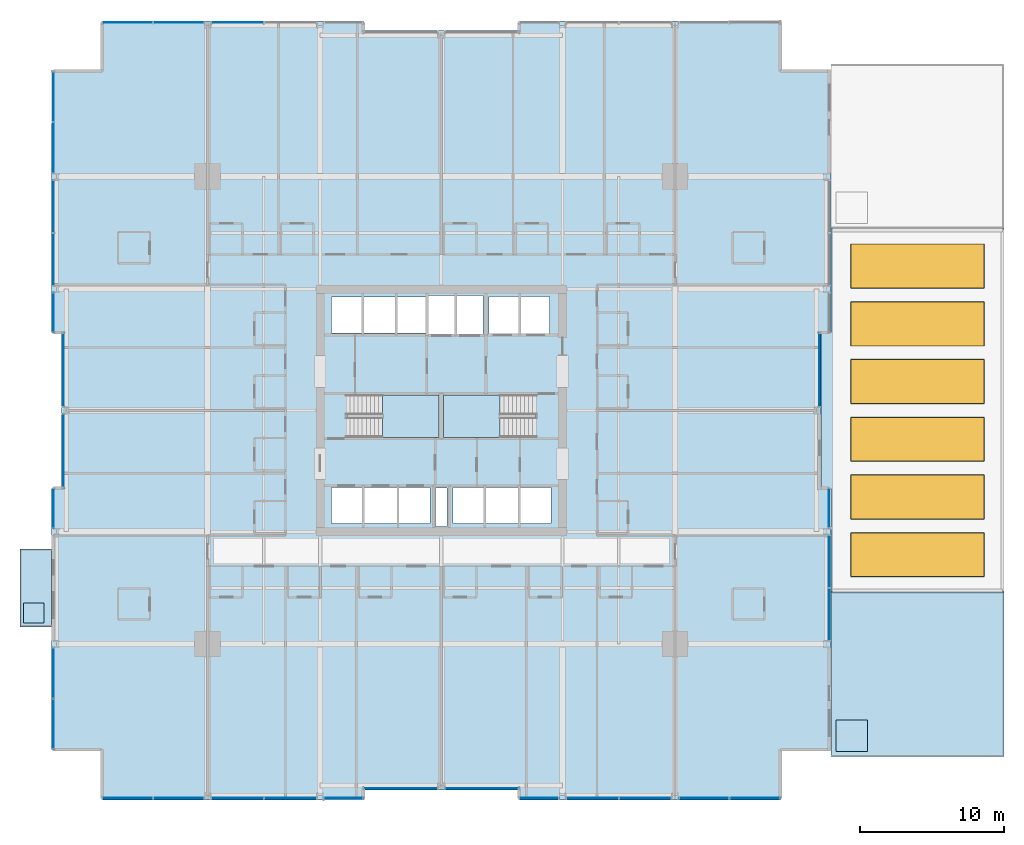
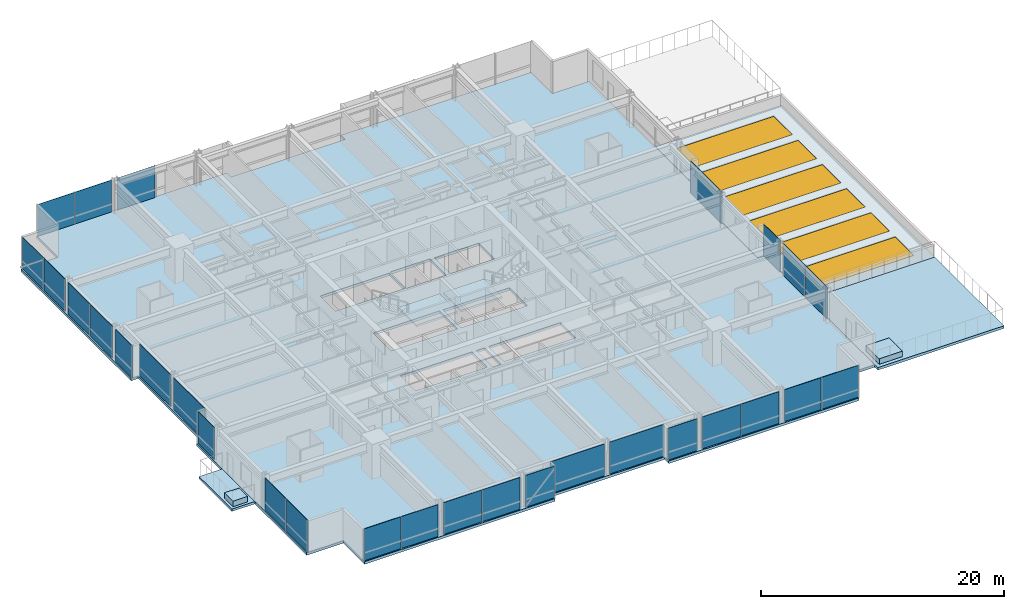
# One storey, part 29 of 42: 29 plates, 8 slabs, 6 windows, 6 openings, 22 elements without a shape of their own.
"""IFC4 building model written with IfcOpenShell, lengths in metres."""

from ifc_helpers import new_model, si_unit, direction, frame, origin, origin_2d, place, context, subcontext, project, spatial, polyline, rectangle, outline, extrude, material, layer, layer_set, type_object, element, fill, aggregate, save


model = new_model("IFC4")

# Units and contexts
model_context = context("Model", 3, precision=1e-05, world=origin(), true_north=direction((0.0, 1.0)))
body_context = subcontext(model_context, "Body", "Model", "MODEL_VIEW")
ifc_project = project(units=[si_unit("LENGTHUNIT", "METRE"), si_unit("AREAUNIT", "SQUARE_METRE"), si_unit("VOLUMEUNIT", "CUBIC_METRE"), si_unit("PLANEANGLEUNIT", "RADIAN"), si_unit("MASSUNIT", "GRAM", prefix="KILO")], contexts=[model_context])

# Site, building, storey
site_placement = place(None, origin())
site = spatial("IfcSite", under=ifc_project, at=site_placement, CompositionType="ELEMENT")
building_placement = place(site_placement, origin())
building = spatial("IfcBuilding", under=site, at=building_placement, Name="Drelvath Grand Hotel", CompositionType="ELEMENT")
storey_placement = place(building_placement, frame((0.0, 0.0, 33.199951171875)))
storey = spatial("IfcBuildingStorey", under=building, at=storey_placement, Name="L06", CompositionType="ELEMENT", Elevation=33.199951171875)

# Slabs
ifc_material_1 = material(Name="Concrete f'c 40 MPa", Category="concrete")
ifc_layer_1 = layer(ifc_material_1, 0.239990234375)
ifc_layer_set_1 = layer_set([ifc_layer_1], Name="Concrete f'c 40 MPa")
slab_type_1 = type_object("IfcSlabType", Name="Cantilevered Tree Balcony Slab 240", PredefinedType="FLOOR", material=ifc_layer_set_1)
slab_1_placement = place(storey_placement, frame((0.0, 0.0, -0.239990234375)))
element("IfcSlab", 1, at=slab_1_placement, inside=storey, type_object=slab_type_1, Name="L06 Cantilevered Tree Balcony Slab 1", PredefinedType="FLOOR", context=body_context, shape_type="SweptSolid", body=[
    extrude(outline(polyline([(-29.199951171875, 12.0), (-27.0, 12.0), (-27.0, 17.39990234375), (-29.199951171875, 17.39990234375), (-29.199951171875, 12.0)])), origin(), (0.0, 0.0, 1.0), 0.239990234375),
])
ifc_layer_2 = layer(ifc_material_1, 0.260009765625)
ifc_layer_set_2 = layer_set([ifc_layer_2], Name="Concrete f'c 40 MPa")
slab_type_2 = type_object("IfcSlabType", Name="Composite RC Floor Slab 260", PredefinedType="FLOOR", material=ifc_layer_set_2)
slab_2_placement = place(storey_placement, frame((0.0, 0.0, -0.260009765625)))
element("IfcSlab", 2, at=slab_2_placement, inside=storey, type_object=slab_type_2, Name="L06 Structural Floor Slab", PredefinedType="FLOOR", context=body_context, shape_type="SweptSolid", body=[
    extrude(outline(polyline([(-23.5, 0.0), (-5.39990234375, 0.0), (-5.39990234375, 0.679931640625), (5.39990234375, 0.679931640625), (5.39990234375, 0.0), (23.5, 0.0), (23.5, 3.5), (27.0, 3.5), (27.0, 21.60009765625), (26.320068359375, 21.60009765625), (26.320068359375, 32.39990234375), (27.0, 32.39990234375), (27.0, 50.5), (23.5, 50.5), (23.5, 54.0), (5.39990234375, 54.0), (5.39990234375, 53.320068359375), (-5.39990234375, 53.320068359375), (-5.39990234375, 54.0), (-23.5, 54.0), (-23.5, 50.5), (-27.0, 50.5), (-27.0, 32.39990234375), (-26.320068359375, 32.39990234375), (-26.320068359375, 21.60009765625), (-27.0, 21.60009765625), (-27.0, 3.5), (-23.5, 3.5), (-23.5, 0.0)]), holes=[polyline([(-6.47998046875, 25.1201171875), (-6.47998046875, 28.080078125), (-0.14990234375, 28.080078125), (-0.14990234375, 25.1201171875), (-6.47998046875, 25.1201171875)]), polyline([(0.14990234375, 25.1201171875), (0.14990234375, 28.080078125), (6.47998046875, 28.080078125), (6.47998046875, 25.1201171875), (0.14990234375, 25.1201171875)]), polyline([(-7.60009765625, 19.14990234375), (-7.60009765625, 21.64990234375), (-0.800048828125, 21.64990234375), (-0.800048828125, 19.14990234375), (-7.60009765625, 19.14990234375)]), polyline([(-0.39990234375, 18.9599609375), (-0.39990234375, 21.639892578125), (0.39990234375, 21.639892578125), (0.39990234375, 18.9599609375), (-0.39990234375, 18.9599609375)]), polyline([(0.800048828125, 19.14990234375), (0.800048828125, 21.64990234375), (7.60009765625, 21.64990234375), (7.60009765625, 19.14990234375), (0.800048828125, 19.14990234375)]), polyline([(-7.60009765625, 32.35009765625), (-7.60009765625, 34.85009765625), (-1.02001953125, 34.85009765625), (-1.02001953125, 32.35009765625), (-7.60009765625, 32.35009765625)]), polyline([(-0.89990234375, 32.25), (-0.89990234375, 34.949951171875), (2.89990234375, 34.949951171875), (2.89990234375, 32.25), (-0.89990234375, 32.25)]), polyline([(3.300048828125, 32.300048828125), (3.300048828125, 34.89990234375), (7.5, 34.89990234375), (7.5, 32.300048828125), (3.300048828125, 32.300048828125)])]), origin(), (0.0, 0.0, 1.0), 0.260009765625),
])

# Stair, slab
ifc_material_2 = material(Name="Concrete C40/50", Category="concrete")
stair_type = type_object("IfcStairType", Name="Dogleg Exit Stair W1400-R175.0", PredefinedType="HALF_TURN_STAIR", material=ifc_material_2)
stair_1_placement = place(storey_placement, origin())
stair_1 = element("IfcStair", 3, at=stair_1_placement, inside=storey, type_object=stair_type, Name="L06 Core Exit Stair ST-1", PredefinedType="HALF_TURN_STAIR")
ifc_layer_3 = layer(ifc_material_2, 0.199951171875)
ifc_layer_set_3 = layer_set([ifc_layer_3], Name="Concrete C40/50")
slab_type_3 = type_object("IfcSlabType", Name="Concrete Stair Landing Slab 200", PredefinedType="LANDING", material=ifc_layer_set_3)
slab_3_placement = place(storey_placement, frame((0.0, 0.0, 1.550048828125)))
slab_3 = element("IfcSlab", 4, at=slab_3_placement, type_object=slab_type_3, Name="ST-1 landing 1", PredefinedType="LANDING", context=body_context, shape_type="SweptSolid", body=[
    extrude(outline(polyline([(-4.080078125, 25.1201171875), (-0.14990234375, 25.1201171875), (-0.14990234375, 28.080078125), (-4.080078125, 28.080078125), (-4.080078125, 25.1201171875)])), origin(), (0.0, 0.0, 1.0), 0.199951171875),
])
aggregate(stair_1, [slab_3])

stair_2_placement = place(storey_placement, origin())
stair_2 = element("IfcStair", 5, at=stair_2_placement, inside=storey, type_object=stair_type, Name="L06 Core Exit Stair ST-2", PredefinedType="HALF_TURN_STAIR")
slab_4_placement = place(storey_placement, frame((0.0, 0.0, 1.550048828125)))
slab_4 = element("IfcSlab", 6, at=slab_4_placement, type_object=slab_type_3, Name="ST-2 landing 1", PredefinedType="LANDING", context=body_context, shape_type="SweptSolid", body=[
    extrude(outline(polyline([(4.080078125, 28.080078125), (0.14990234375, 28.080078125), (0.14990234375, 25.1201171875), (4.080078125, 25.1201171875), (4.080078125, 28.080078125)])), origin(), (0.0, 0.0, 1.0), 0.199951171875),
])
aggregate(stair_2, [slab_4])

# Curtain wall, plates
ifc_material_3 = material(Name="Warm Bronze Anodised Aluminium Frame", Category="aluminium")
ifc_layer_4 = layer(ifc_material_3, 0.199951171875)
ifc_layer_set_4 = layer_set([ifc_layer_4], Name="Warm Bronze Anodised Aluminium Frame")
curtain_wall_type = type_object("IfcCurtainWallType", Name="Stick Curtain Wall CW-02 Warm Bronze Low-Rise", PredefinedType="NOTDEFINED", material=ifc_layer_set_4)
curtain_wall_1_placement = place(storey_placement, origin())
curtain_wall_1 = element("IfcCurtainWall", 7, at=curtain_wall_1_placement, inside=storey, type_object=curtain_wall_type, Name="L06 CW-02 Curtain Wall CW02-L06-WS1", PredefinedType="NOTDEFINED")
ifc_material_4 = material(Name="Low-E Triple Silver Vision Glass Bronze Tint", Category="glass")
ifc_layer_5 = layer(ifc_material_4, 0.035888671875)
ifc_layer_set_5 = layer_set([ifc_layer_5], Name="Low-E Triple Silver Vision Glass Bronze Tint")
plate_type = type_object("IfcPlateType", Name="Curtain Wall Vision Panel CW-02 36mm", PredefinedType="CURTAIN_PANEL", material=ifc_layer_set_5)
plate_1_placement = place(storey_placement, frame((-26.8798828125, 5.264892578125, 0.02001953125), z_axis=(0.0, 0.0, 1.0), x_axis=(0.0, 1.0, 0.0)))
plate_1 = element("IfcPlate", 8, at=plate_1_placement, type_object=plate_type, Name="CW02-L06-WS1 Glazed Panel 1", PredefinedType="CURTAIN_PANEL", context=body_context, shape_type="SweptSolid", body=[
    extrude(rectangle(XDim=3.489501953125, YDim=0.035888671875, at=origin_2d()), origin(), (0.0, 0.0, 1.0), 3.199951171875),
])
plate_2_placement = place(storey_placement, frame((-26.8798828125, 8.794189453125, 0.02001953125), z_axis=(0.0, 0.0, 1.0), x_axis=(0.0, 1.0, 0.0)))
plate_2 = element("IfcPlate", 9, at=plate_2_placement, type_object=plate_type, Name="CW02-L06-WS1 Glazed Panel 2", PredefinedType="CURTAIN_PANEL", context=body_context, shape_type="SweptSolid", body=[
    extrude(rectangle(XDim=3.489501953125, YDim=0.035888671875, at=origin_2d()), origin(), (0.0, 0.0, 1.0), 3.199951171875),
])
aggregate(curtain_wall_1, [plate_1, plate_2])

# Curtain wall, plate
curtain_wall_2_placement = place(storey_placement, origin())
curtain_wall_2 = element("IfcCurtainWall", 10, at=curtain_wall_2_placement, inside=storey, type_object=curtain_wall_type, Name="L06 CW-02 Curtain Wall CW02-L06-WS3", PredefinedType="NOTDEFINED")
plate_3_placement = place(storey_placement, frame((-26.8798828125, 20.220458984375, 0.02001953125), z_axis=(0.0, 0.0, 1.0), x_axis=(0.0, 1.0, 0.0)))
plate_3 = element("IfcPlate", 11, at=plate_3_placement, type_object=plate_type, Name="CW02-L06-WS3 Glazed Panel 1", PredefinedType="CURTAIN_PANEL", context=body_context, shape_type="SweptSolid", body=[
    extrude(rectangle(XDim=2.718994140625, YDim=0.035888671875, at=origin_2d()), origin(), (0.0, 0.0, 1.0), 3.199951171875),
])
aggregate(curtain_wall_2, [plate_3])

curtain_wall_3_placement = place(storey_placement, origin())
curtain_wall_3 = element("IfcCurtainWall", 12, at=curtain_wall_3_placement, inside=storey, type_object=curtain_wall_type, Name="L06 CW-02 Curtain Wall CW02-L06-WM1", PredefinedType="NOTDEFINED")
plate_4_placement = place(storey_placement, frame((-26.199951171875, 24.179443359375, 0.02001953125), z_axis=(0.0, 0.0, 1.0), x_axis=(0.0, 1.0, 0.0)))
plate_4 = element("IfcPlate", 13, at=plate_4_placement, type_object=plate_type, Name="CW02-L06-WM1 Glazed Panel 1", PredefinedType="CURTAIN_PANEL", context=body_context, shape_type="SweptSolid", body=[
    extrude(rectangle(XDim=5.119140625, YDim=0.035888671875, at=origin_2d()), origin(), (0.0, 0.0, 1.0), 3.199951171875),
])
aggregate(curtain_wall_3, [plate_4])

curtain_wall_4_placement = place(storey_placement, origin())
curtain_wall_4 = element("IfcCurtainWall", 14, at=curtain_wall_4_placement, inside=storey, type_object=curtain_wall_type, Name="L06 CW-02 Curtain Wall CW02-L06-WM2", PredefinedType="NOTDEFINED")
plate_5_placement = place(storey_placement, frame((-26.199951171875, 29.820556640625, 0.02001953125), z_axis=(0.0, 0.0, 1.0), x_axis=(0.0, 1.0, 0.0)))
plate_5 = element("IfcPlate", 15, at=plate_5_placement, type_object=plate_type, Name="CW02-L06-WM2 Glazed Panel 1", PredefinedType="CURTAIN_PANEL", context=body_context, shape_type="SweptSolid", body=[
    extrude(rectangle(XDim=5.119140625, YDim=0.035888671875, at=origin_2d()), origin(), (0.0, 0.0, 1.0), 3.199951171875),
])
aggregate(curtain_wall_4, [plate_5])

curtain_wall_5_placement = place(storey_placement, origin())
curtain_wall_5 = element("IfcCurtainWall", 16, at=curtain_wall_5_placement, inside=storey, type_object=curtain_wall_type, Name="L06 CW-02 Curtain Wall CW02-L06-WN1", PredefinedType="NOTDEFINED")
plate_6_placement = place(storey_placement, frame((-26.8798828125, 33.779541015625, 0.02001953125), z_axis=(0.0, 0.0, 1.0), x_axis=(0.0, 1.0, 0.0)))
plate_6 = element("IfcPlate", 17, at=plate_6_placement, type_object=plate_type, Name="CW02-L06-WN1 Glazed Panel 1", PredefinedType="CURTAIN_PANEL", context=body_context, shape_type="SweptSolid", body=[
    extrude(rectangle(XDim=2.718994140625, YDim=0.035888671875, at=origin_2d()), origin(), (0.0, 0.0, 1.0), 3.199951171875),
])
aggregate(curtain_wall_5, [plate_6])

# Curtain wall, plates
curtain_wall_6_placement = place(storey_placement, origin())
curtain_wall_6 = element("IfcCurtainWall", 18, at=curtain_wall_6_placement, inside=storey, type_object=curtain_wall_type, Name="L06 CW-02 Curtain Wall CW02-L06-WN2", PredefinedType="NOTDEFINED")
plate_7_placement = place(storey_placement, frame((-26.8798828125, 37.470458984375, 0.02001953125), z_axis=(0.0, 0.0, 1.0), x_axis=(0.0, 1.0, 0.0)))
plate_7 = element("IfcPlate", 19, at=plate_7_placement, type_object=plate_type, Name="CW02-L06-WN2 Glazed Panel 1", PredefinedType="CURTAIN_PANEL", context=body_context, shape_type="SweptSolid", body=[
    extrude(rectangle(XDim=3.619140625, YDim=0.035888671875, at=origin_2d()), origin(), (0.0, 0.0, 1.0), 3.199951171875),
])
plate_8_placement = place(storey_placement, frame((-26.8798828125, 41.129638671875, 0.02001953125), z_axis=(0.0, 0.0, 1.0), x_axis=(0.0, 1.0, 0.0)))
plate_8 = element("IfcPlate", 20, at=plate_8_placement, type_object=plate_type, Name="CW02-L06-WN2 Glazed Panel 2", PredefinedType="CURTAIN_PANEL", context=body_context, shape_type="SweptSolid", body=[
    extrude(rectangle(XDim=3.619140625, YDim=0.035888671875, at=origin_2d()), origin(), (0.0, 0.0, 1.0), 3.199951171875),
])
aggregate(curtain_wall_6, [plate_7, plate_8])

curtain_wall_7_placement = place(storey_placement, origin())
curtain_wall_7 = element("IfcCurtainWall", 21, at=curtain_wall_7_placement, inside=storey, type_object=curtain_wall_type, Name="L06 CW-02 Curtain Wall CW02-L06-WN3", PredefinedType="NOTDEFINED")
plate_9_placement = place(storey_placement, frame((-26.8798828125, 45.205810546875, 0.02001953125), z_axis=(0.0, 0.0, 1.0), x_axis=(0.0, 1.0, 0.0)))
plate_9 = element("IfcPlate", 22, at=plate_9_placement, type_object=plate_type, Name="CW02-L06-WN3 Glazed Panel 1", PredefinedType="CURTAIN_PANEL", context=body_context, shape_type="SweptSolid", body=[
    extrude(rectangle(XDim=3.489501953125, YDim=0.035888671875, at=origin_2d()), origin(), (0.0, 0.0, 1.0), 3.199951171875),
])
plate_10_placement = place(storey_placement, frame((-26.8798828125, 48.735107421875, 0.02001953125), z_axis=(0.0, 0.0, 1.0), x_axis=(0.0, 1.0, 0.0)))
plate_10 = element("IfcPlate", 23, at=plate_10_placement, type_object=plate_type, Name="CW02-L06-WN3 Glazed Panel 2", PredefinedType="CURTAIN_PANEL", context=body_context, shape_type="SweptSolid", body=[
    extrude(rectangle(XDim=3.489501953125, YDim=0.035888671875, at=origin_2d()), origin(), (0.0, 0.0, 1.0), 3.199951171875),
])
aggregate(curtain_wall_7, [plate_9, plate_10])

# Curtain wall, plate
curtain_wall_8_placement = place(storey_placement, origin())
curtain_wall_8 = element("IfcCurtainWall", 24, at=curtain_wall_8_placement, inside=storey, type_object=curtain_wall_type, Name="L06 CW-02 Curtain Wall CW02-L06-EM2", PredefinedType="NOTDEFINED")
plate_11_placement = place(storey_placement, frame((26.199951171875, 29.820556640625, 0.02001953125), z_axis=(0.0, 0.0, 1.0), x_axis=(0.0, -1.0, 0.0)))
plate_11 = element("IfcPlate", 25, at=plate_11_placement, type_object=plate_type, Name="CW02-L06-EM2 Glazed Panel 1", PredefinedType="CURTAIN_PANEL", context=body_context, shape_type="SweptSolid", body=[
    extrude(rectangle(XDim=5.119140625, YDim=0.035888671875, at=origin_2d()), origin(), (0.0, 0.0, 1.0), 3.199951171875),
])
aggregate(curtain_wall_8, [plate_11])

# Curtain wall, plates
curtain_wall_9_placement = place(storey_placement, origin())
curtain_wall_9 = element("IfcCurtainWall", 26, at=curtain_wall_9_placement, inside=storey, type_object=curtain_wall_type, Name="L06 CW-02 Curtain Wall CW02-L06-ES2", PredefinedType="NOTDEFINED")
plate_12_placement = place(storey_placement, frame((26.8798828125, 16.529541015625, 0.02001953125), z_axis=(0.0, 0.0, 1.0), x_axis=(0.0, -1.0, 0.0)))
plate_12 = element("IfcPlate", 27, at=plate_12_placement, type_object=plate_type, Name="CW02-L06-ES2 Glazed Panel 1", PredefinedType="CURTAIN_PANEL", context=body_context, shape_type="SweptSolid", body=[
    extrude(rectangle(XDim=3.619140625, YDim=0.035888671875, at=origin_2d()), origin(), (0.0, 0.0, 1.0), 3.199951171875),
])
plate_13_placement = place(storey_placement, frame((26.8798828125, 12.870361328125, 0.02001953125), z_axis=(0.0, 0.0, 1.0), x_axis=(0.0, -1.0, 0.0)))
plate_13 = element("IfcPlate", 28, at=plate_13_placement, type_object=plate_type, Name="CW02-L06-ES2 Glazed Panel 2", PredefinedType="CURTAIN_PANEL", context=body_context, shape_type="SweptSolid", body=[
    extrude(rectangle(XDim=3.619140625, YDim=0.035888671875, at=origin_2d()), origin(), (0.0, 0.0, 1.0), 3.199951171875),
])
aggregate(curtain_wall_9, [plate_12, plate_13])

# Curtain wall, plate
curtain_wall_10_placement = place(storey_placement, origin())
curtain_wall_10 = element("IfcCurtainWall", 29, at=curtain_wall_10_placement, inside=storey, type_object=curtain_wall_type, Name="L06 CW-02 Curtain Wall CW02-L06-ES3", PredefinedType="NOTDEFINED")
plate_14_placement = place(storey_placement, frame((26.8798828125, 20.220458984375, 0.02001953125), z_axis=(0.0, 0.0, 1.0), x_axis=(0.0, -1.0, 0.0)))
plate_14 = element("IfcPlate", 30, at=plate_14_placement, type_object=plate_type, Name="CW02-L06-ES3 Glazed Panel 1", PredefinedType="CURTAIN_PANEL", context=body_context, shape_type="SweptSolid", body=[
    extrude(rectangle(XDim=2.718994140625, YDim=0.035888671875, at=origin_2d()), origin(), (0.0, 0.0, 1.0), 3.199951171875),
])
aggregate(curtain_wall_10, [plate_14])

# Curtain wall, plates
curtain_wall_11_placement = place(storey_placement, origin())
curtain_wall_11 = element("IfcCurtainWall", 31, at=curtain_wall_11_placement, inside=storey, type_object=curtain_wall_type, Name="L06 CW-02 Curtain Wall CW02-L06-NW1", PredefinedType="NOTDEFINED")
plate_15_placement = place(storey_placement, frame((-21.735107421875, 53.8798828125, 0.02001953125), z_axis=(0.0, 0.0, 1.0), x_axis=(1.0, 0.0, 0.0)))
plate_15 = element("IfcPlate", 32, at=plate_15_placement, type_object=plate_type, Name="CW02-L06-NW1 Glazed Panel 1", PredefinedType="CURTAIN_PANEL", context=body_context, shape_type="SweptSolid", body=[
    extrude(rectangle(XDim=3.489501953125, YDim=0.035888671875, at=origin_2d()), origin(), (0.0, 0.0, 1.0), 3.199951171875),
])
plate_16_placement = place(storey_placement, frame((-18.205810546875, 53.8798828125, 0.02001953125), z_axis=(0.0, 0.0, 1.0), x_axis=(1.0, 0.0, 0.0)))
plate_16 = element("IfcPlate", 33, at=plate_16_placement, type_object=plate_type, Name="CW02-L06-NW1 Glazed Panel 2", PredefinedType="CURTAIN_PANEL", context=body_context, shape_type="SweptSolid", body=[
    extrude(rectangle(XDim=3.489501953125, YDim=0.035888671875, at=origin_2d()), origin(), (0.0, 0.0, 1.0), 3.199951171875),
])
aggregate(curtain_wall_11, [plate_15, plate_16])

# Curtain wall, plate
curtain_wall_12_placement = place(storey_placement, origin())
curtain_wall_12 = element("IfcCurtainWall", 34, at=curtain_wall_12_placement, inside=storey, type_object=curtain_wall_type, Name="L06 CW-02 Curtain Wall CW02-L06-NW2", PredefinedType="NOTDEFINED")
plate_17_placement = place(storey_placement, frame((-14.129638671875, 53.8798828125, 0.02001953125), z_axis=(0.0, 0.0, 1.0), x_axis=(1.0, 0.0, 0.0)))
plate_17 = element("IfcPlate", 35, at=plate_17_placement, type_object=plate_type, Name="CW02-L06-NW2 Glazed Panel 1", PredefinedType="CURTAIN_PANEL", context=body_context, shape_type="SweptSolid", body=[
    extrude(rectangle(XDim=3.619140625, YDim=0.035888671875, at=origin_2d()), origin(), (0.0, 0.0, 1.0), 3.199951171875),
])
aggregate(curtain_wall_12, [plate_17])

curtain_wall_13_placement = place(storey_placement, origin())
curtain_wall_13 = element("IfcCurtainWall", 36, at=curtain_wall_13_placement, inside=storey, type_object=curtain_wall_type, Name="L06 CW-02 Curtain Wall CW02-L06-SE1", PredefinedType="NOTDEFINED")
plate_18_placement = place(storey_placement, frame((6.779541015625, 0.1201171875, 0.02001953125), z_axis=(0.0, 0.0, 1.0), x_axis=(-1.0, 0.0, 0.0)))
plate_18 = element("IfcPlate", 37, at=plate_18_placement, type_object=plate_type, Name="CW02-L06-SE1 Glazed Panel 1", PredefinedType="CURTAIN_PANEL", context=body_context, shape_type="SweptSolid", body=[
    extrude(rectangle(XDim=2.718994140625, YDim=0.035888671875, at=origin_2d()), origin(), (0.0, 0.0, 1.0), 3.199951171875),
])
aggregate(curtain_wall_13, [plate_18])

# Curtain wall, plates
curtain_wall_14_placement = place(storey_placement, origin())
curtain_wall_14 = element("IfcCurtainWall", 38, at=curtain_wall_14_placement, inside=storey, type_object=curtain_wall_type, Name="L06 CW-02 Curtain Wall CW02-L06-SE2", PredefinedType="NOTDEFINED")
plate_19_placement = place(storey_placement, frame((14.129638671875, 0.1201171875, 0.02001953125), z_axis=(0.0, 0.0, 1.0), x_axis=(-1.0, 0.0, 0.0)))
plate_19 = element("IfcPlate", 39, at=plate_19_placement, type_object=plate_type, Name="CW02-L06-SE2 Glazed Panel 1", PredefinedType="CURTAIN_PANEL", context=body_context, shape_type="SweptSolid", body=[
    extrude(rectangle(XDim=3.619140625, YDim=0.035888671875, at=origin_2d()), origin(), (0.0, 0.0, 1.0), 3.199951171875),
])
plate_20_placement = place(storey_placement, frame((10.470458984375, 0.1201171875, 0.02001953125), z_axis=(0.0, 0.0, 1.0), x_axis=(-1.0, 0.0, 0.0)))
plate_20 = element("IfcPlate", 40, at=plate_20_placement, type_object=plate_type, Name="CW02-L06-SE2 Glazed Panel 2", PredefinedType="CURTAIN_PANEL", context=body_context, shape_type="SweptSolid", body=[
    extrude(rectangle(XDim=3.619140625, YDim=0.035888671875, at=origin_2d()), origin(), (0.0, 0.0, 1.0), 3.199951171875),
])
aggregate(curtain_wall_14, [plate_19, plate_20])

curtain_wall_15_placement = place(storey_placement, origin())
curtain_wall_15 = element("IfcCurtainWall", 41, at=curtain_wall_15_placement, inside=storey, type_object=curtain_wall_type, Name="L06 CW-02 Curtain Wall CW02-L06-SE3", PredefinedType="NOTDEFINED")
plate_21_placement = place(storey_placement, frame((21.735107421875, 0.1201171875, 0.02001953125), z_axis=(0.0, 0.0, 1.0), x_axis=(-1.0, 0.0, 0.0)))
plate_21 = element("IfcPlate", 42, at=plate_21_placement, type_object=plate_type, Name="CW02-L06-SE3 Glazed Panel 1", PredefinedType="CURTAIN_PANEL", context=body_context, shape_type="SweptSolid", body=[
    extrude(rectangle(XDim=3.489501953125, YDim=0.035888671875, at=origin_2d()), origin(), (0.0, 0.0, 1.0), 3.199951171875),
])
plate_22_placement = place(storey_placement, frame((18.205810546875, 0.1201171875, 0.02001953125), z_axis=(0.0, 0.0, 1.0), x_axis=(-1.0, 0.0, 0.0)))
plate_22 = element("IfcPlate", 43, at=plate_22_placement, type_object=plate_type, Name="CW02-L06-SE3 Glazed Panel 2", PredefinedType="CURTAIN_PANEL", context=body_context, shape_type="SweptSolid", body=[
    extrude(rectangle(XDim=3.489501953125, YDim=0.035888671875, at=origin_2d()), origin(), (0.0, 0.0, 1.0), 3.199951171875),
])
aggregate(curtain_wall_15, [plate_21, plate_22])

# Curtain wall, plate
curtain_wall_16_placement = place(storey_placement, origin())
curtain_wall_16 = element("IfcCurtainWall", 44, at=curtain_wall_16_placement, inside=storey, type_object=curtain_wall_type, Name="L06 CW-02 Curtain Wall CW02-L06-SM1", PredefinedType="NOTDEFINED")
plate_23_placement = place(storey_placement, frame((-2.820556640625, 0.800048828125, 0.02001953125), z_axis=(0.0, 0.0, 1.0), x_axis=(-1.0, 0.0, 0.0)))
plate_23 = element("IfcPlate", 45, at=plate_23_placement, type_object=plate_type, Name="CW02-L06-SM1 Glazed Panel 1", PredefinedType="CURTAIN_PANEL", context=body_context, shape_type="SweptSolid", body=[
    extrude(rectangle(XDim=5.119140625, YDim=0.035888671875, at=origin_2d()), origin(), (0.0, 0.0, 1.0), 3.199951171875),
])
aggregate(curtain_wall_16, [plate_23])

curtain_wall_17_placement = place(storey_placement, origin())
curtain_wall_17 = element("IfcCurtainWall", 46, at=curtain_wall_17_placement, inside=storey, type_object=curtain_wall_type, Name="L06 CW-02 Curtain Wall CW02-L06-SM2", PredefinedType="NOTDEFINED")
plate_24_placement = place(storey_placement, frame((2.820556640625, 0.800048828125, 0.02001953125), z_axis=(0.0, 0.0, 1.0), x_axis=(-1.0, 0.0, 0.0)))
plate_24 = element("IfcPlate", 47, at=plate_24_placement, type_object=plate_type, Name="CW02-L06-SM2 Glazed Panel 1", PredefinedType="CURTAIN_PANEL", context=body_context, shape_type="SweptSolid", body=[
    extrude(rectangle(XDim=5.119140625, YDim=0.035888671875, at=origin_2d()), origin(), (0.0, 0.0, 1.0), 3.199951171875),
])
aggregate(curtain_wall_17, [plate_24])

# Curtain wall, plates
curtain_wall_18_placement = place(storey_placement, origin())
curtain_wall_18 = element("IfcCurtainWall", 48, at=curtain_wall_18_placement, inside=storey, type_object=curtain_wall_type, Name="L06 CW-02 Curtain Wall CW02-L06-SW1", PredefinedType="NOTDEFINED")
plate_25_placement = place(storey_placement, frame((-18.205810546875, 0.1201171875, 0.02001953125), z_axis=(0.0, 0.0, 1.0), x_axis=(-1.0, 0.0, 0.0)))
plate_25 = element("IfcPlate", 49, at=plate_25_placement, type_object=plate_type, Name="CW02-L06-SW1 Glazed Panel 1", PredefinedType="CURTAIN_PANEL", context=body_context, shape_type="SweptSolid", body=[
    extrude(rectangle(XDim=3.489501953125, YDim=0.035888671875, at=origin_2d()), origin(), (0.0, 0.0, 1.0), 3.199951171875),
])
plate_26_placement = place(storey_placement, frame((-21.735107421875, 0.1201171875, 0.02001953125), z_axis=(0.0, 0.0, 1.0), x_axis=(-1.0, 0.0, 0.0)))
plate_26 = element("IfcPlate", 50, at=plate_26_placement, type_object=plate_type, Name="CW02-L06-SW1 Glazed Panel 2", PredefinedType="CURTAIN_PANEL", context=body_context, shape_type="SweptSolid", body=[
    extrude(rectangle(XDim=3.489501953125, YDim=0.035888671875, at=origin_2d()), origin(), (0.0, 0.0, 1.0), 3.199951171875),
])
aggregate(curtain_wall_18, [plate_25, plate_26])

curtain_wall_19_placement = place(storey_placement, origin())
curtain_wall_19 = element("IfcCurtainWall", 51, at=curtain_wall_19_placement, inside=storey, type_object=curtain_wall_type, Name="L06 CW-02 Curtain Wall CW02-L06-SW2", PredefinedType="NOTDEFINED")
plate_27_placement = place(storey_placement, frame((-10.470458984375, 0.1201171875, 0.02001953125), z_axis=(0.0, 0.0, 1.0), x_axis=(-1.0, 0.0, 0.0)))
plate_27 = element("IfcPlate", 52, at=plate_27_placement, type_object=plate_type, Name="CW02-L06-SW2 Glazed Panel 1", PredefinedType="CURTAIN_PANEL", context=body_context, shape_type="SweptSolid", body=[
    extrude(rectangle(XDim=3.619140625, YDim=0.035888671875, at=origin_2d()), origin(), (0.0, 0.0, 1.0), 3.199951171875),
])
plate_28_placement = place(storey_placement, frame((-14.129638671875, 0.1201171875, 0.02001953125), z_axis=(0.0, 0.0, 1.0), x_axis=(-1.0, 0.0, 0.0)))
plate_28 = element("IfcPlate", 53, at=plate_28_placement, type_object=plate_type, Name="CW02-L06-SW2 Glazed Panel 2", PredefinedType="CURTAIN_PANEL", context=body_context, shape_type="SweptSolid", body=[
    extrude(rectangle(XDim=3.619140625, YDim=0.035888671875, at=origin_2d()), origin(), (0.0, 0.0, 1.0), 3.199951171875),
])
aggregate(curtain_wall_19, [plate_27, plate_28])

# Curtain wall, plate
curtain_wall_20_placement = place(storey_placement, origin())
curtain_wall_20 = element("IfcCurtainWall", 54, at=curtain_wall_20_placement, inside=storey, type_object=curtain_wall_type, Name="L06 CW-02 Curtain Wall CW02-L06-SW3", PredefinedType="NOTDEFINED")
plate_29_placement = place(storey_placement, frame((-6.779541015625, 0.1201171875, 0.02001953125), z_axis=(0.0, 0.0, 1.0), x_axis=(-1.0, 0.0, 0.0)))
plate_29 = element("IfcPlate", 55, at=plate_29_placement, type_object=plate_type, Name="CW02-L06-SW3 Glazed Panel 1", PredefinedType="CURTAIN_PANEL", context=body_context, shape_type="SweptSolid", body=[
    extrude(rectangle(XDim=2.718994140625, YDim=0.035888671875, at=origin_2d()), origin(), (0.0, 0.0, 1.0), 3.199951171875),
])
aggregate(curtain_wall_20, [plate_29])

# Slab
ifc_layer_6 = layer(ifc_material_1, 0.260009765625)
ifc_layer_set_6 = layer_set([ifc_layer_6], Name="Concrete f'c 40 MPa")
slab_type_4 = type_object("IfcSlabType", Name="Planted Terrace Structural Slab 260", PredefinedType="FLOOR", material=ifc_layer_set_6)
slab_5_placement = place(storey_placement, frame((0.0, 0.0, -0.260009765625)))
element("IfcSlab", 56, at=slab_5_placement, inside=storey, type_object=slab_type_4, Name="L06 Setback Roof Garden Terrace Slab 1", PredefinedType="FLOOR", context=body_context, shape_type="SweptSolid", body=[
    extrude(outline(polyline([(27.0, 3.0), (39.0, 3.0), (39.0, 14.39990234375), (27.0, 14.39990234375), (27.0, 3.0)])), origin(), (0.0, 0.0, 1.0), 0.260009765625),
])

# Slab, openings, windows
ifc_layer_7 = layer(ifc_material_1, 0.280029296875)
ifc_layer_set_7 = layer_set([ifc_layer_7], Name="Concrete f'c 40 MPa")
slab_type_5 = type_object("IfcSlabType", Name="Setback Flat Roof Slab 280", PredefinedType="ROOF", material=ifc_layer_set_7)
slab_6_placement = place(storey_placement, frame((0.0, 0.0, -0.280029296875)))
slab_6 = element("IfcSlab", 57, at=slab_6_placement, inside=storey, type_object=slab_type_5, Name="L06 Podium Atrium Skylight Roof Slab", PredefinedType="ROOF", context=body_context, shape_type="SweptSolid", body=[
    extrude(outline(polyline([(27.010009765625, 14.39990234375), (39.0, 14.39990234375), (39.0, 39.60009765625), (27.010009765625, 39.60009765625), (27.010009765625, 32.39990234375), (26.330078125, 32.39990234375), (26.330078125, 21.60009765625), (27.010009765625, 21.60009765625), (27.010009765625, 14.39990234375)]), holes=[polyline([(28.39990234375, 15.5), (28.39990234375, 18.5), (37.60009765625, 18.5), (37.60009765625, 15.5), (28.39990234375, 15.5)]), polyline([(28.39990234375, 19.5), (28.39990234375, 22.5), (37.60009765625, 22.5), (37.60009765625, 19.5), (28.39990234375, 19.5)]), polyline([(28.39990234375, 23.5), (28.39990234375, 26.5), (37.60009765625, 26.5), (37.60009765625, 23.5), (28.39990234375, 23.5)]), polyline([(28.39990234375, 27.5), (28.39990234375, 30.5), (37.60009765625, 30.5), (37.60009765625, 27.5), (28.39990234375, 27.5)]), polyline([(28.39990234375, 31.5), (28.39990234375, 34.5), (37.60009765625, 34.5), (37.60009765625, 31.5), (28.39990234375, 31.5)]), polyline([(28.39990234375, 35.5), (28.39990234375, 38.5), (37.60009765625, 38.5), (37.60009765625, 35.5), (28.39990234375, 35.5)])]), origin(), (0.0, 0.0, 1.0), 0.280029296875),
])
opening_1_placement = place(slab_6_placement, frame((33.0, 17.0, 0.0)))
opening_1 = element("IfcOpeningElement", 58, at=opening_1_placement, cuts=slab_6, Name="Opening SK-01", PredefinedType="OPENING", context=body_context, shape_type="SweptSolid", body=[
    extrude(rectangle(XDim=9.239990234375, YDim=3.0400390625, at=origin_2d()), origin(), (0.0, 0.0, 1.0), 0.280029296875),
])
opening_2_placement = place(slab_6_placement, frame((33.0, 21.0, 0.0)))
opening_2 = element("IfcOpeningElement", 59, at=opening_2_placement, cuts=slab_6, Name="Opening SK-02", PredefinedType="OPENING", context=body_context, shape_type="SweptSolid", body=[
    extrude(rectangle(XDim=9.239990234375, YDim=3.0400390625, at=origin_2d()), origin(), (0.0, 0.0, 1.0), 0.280029296875),
])
opening_3_placement = place(slab_6_placement, frame((33.0, 25.0, 0.0)))
opening_3 = element("IfcOpeningElement", 60, at=opening_3_placement, cuts=slab_6, Name="Opening SK-03", PredefinedType="OPENING", context=body_context, shape_type="SweptSolid", body=[
    extrude(rectangle(XDim=9.239990234375, YDim=3.0400390625, at=origin_2d()), origin(), (0.0, 0.0, 1.0), 0.280029296875),
])
opening_4_placement = place(slab_6_placement, frame((33.0, 29.0, 0.0)))
opening_4 = element("IfcOpeningElement", 61, at=opening_4_placement, cuts=slab_6, Name="Opening SK-04", PredefinedType="OPENING", context=body_context, shape_type="SweptSolid", body=[
    extrude(rectangle(XDim=9.239990234375, YDim=3.0400390625, at=origin_2d()), origin(), (0.0, 0.0, 1.0), 0.280029296875),
])
opening_5_placement = place(slab_6_placement, frame((33.0, 33.0, 0.0)))
opening_5 = element("IfcOpeningElement", 62, at=opening_5_placement, cuts=slab_6, Name="Opening SK-05", PredefinedType="OPENING", context=body_context, shape_type="SweptSolid", body=[
    extrude(rectangle(XDim=9.239990234375, YDim=3.0400390625, at=origin_2d()), origin(), (0.0, 0.0, 1.0), 0.280029296875),
])
opening_6_placement = place(slab_6_placement, frame((33.0, 37.0, 0.0)))
opening_6 = element("IfcOpeningElement", 63, at=opening_6_placement, cuts=slab_6, Name="Opening SK-06", PredefinedType="OPENING", context=body_context, shape_type="SweptSolid", body=[
    extrude(rectangle(XDim=9.239990234375, YDim=3.0400390625, at=origin_2d()), origin(), (0.0, 0.0, 1.0), 0.280029296875),
])
ifc_material_5 = material(Name="Laminated Low-E Argon Atrium Skylight Glass", Category="glass")
window_type = type_object("IfcWindowType", Name="Atrium Roof Structural Glass Skylight 9240x3040", PartitioningType="SINGLE_PANEL", PredefinedType="SKYLIGHT", material=ifc_material_5)
window_1_placement = place(opening_1_placement, frame((0.0, 0.0, 0.22998046875)))
window_1 = element("IfcWindow", 64, at=window_1_placement, inside=storey, type_object=window_type, Name="L06 Atrium Roof Skylight SK-01", OverallHeight=3.0400390625, OverallWidth=9.239990234375, PartitioningType="SINGLE_PANEL", PredefinedType="SKYLIGHT", context=body_context, shape_type="SweptSolid", body=[
    extrude(rectangle(XDim=9.239990234375, YDim=3.0400390625, at=origin_2d()), origin(), (0.0, 0.0, 1.0), 0.050048828125),
])
fill(opening_1, window_1)
window_2_placement = place(opening_2_placement, frame((0.0, 0.0, 0.22998046875)))
window_2 = element("IfcWindow", 65, at=window_2_placement, inside=storey, type_object=window_type, Name="L06 Atrium Roof Skylight SK-02", OverallHeight=3.0400390625, OverallWidth=9.239990234375, PartitioningType="SINGLE_PANEL", PredefinedType="SKYLIGHT", context=body_context, shape_type="SweptSolid", body=[
    extrude(rectangle(XDim=9.239990234375, YDim=3.0400390625, at=origin_2d()), origin(), (0.0, 0.0, 1.0), 0.050048828125),
])
fill(opening_2, window_2)
window_3_placement = place(opening_3_placement, frame((0.0, 0.0, 0.22998046875)))
window_3 = element("IfcWindow", 66, at=window_3_placement, inside=storey, type_object=window_type, Name="L06 Atrium Roof Skylight SK-03", OverallHeight=3.0400390625, OverallWidth=9.239990234375, PartitioningType="SINGLE_PANEL", PredefinedType="SKYLIGHT", context=body_context, shape_type="SweptSolid", body=[
    extrude(rectangle(XDim=9.239990234375, YDim=3.0400390625, at=origin_2d()), origin(), (0.0, 0.0, 1.0), 0.050048828125),
])
fill(opening_3, window_3)
window_4_placement = place(opening_4_placement, frame((0.0, 0.0, 0.22998046875)))
window_4 = element("IfcWindow", 67, at=window_4_placement, inside=storey, type_object=window_type, Name="L06 Atrium Roof Skylight SK-04", OverallHeight=3.0400390625, OverallWidth=9.239990234375, PartitioningType="SINGLE_PANEL", PredefinedType="SKYLIGHT", context=body_context, shape_type="SweptSolid", body=[
    extrude(rectangle(XDim=9.239990234375, YDim=3.0400390625, at=origin_2d()), origin(), (0.0, 0.0, 1.0), 0.050048828125),
])
fill(opening_4, window_4)
window_5_placement = place(opening_5_placement, frame((0.0, 0.0, 0.22998046875)))
window_5 = element("IfcWindow", 68, at=window_5_placement, inside=storey, type_object=window_type, Name="L06 Atrium Roof Skylight SK-05", OverallHeight=3.0400390625, OverallWidth=9.239990234375, PartitioningType="SINGLE_PANEL", PredefinedType="SKYLIGHT", context=body_context, shape_type="SweptSolid", body=[
    extrude(rectangle(XDim=9.239990234375, YDim=3.0400390625, at=origin_2d()), origin(), (0.0, 0.0, 1.0), 0.050048828125),
])
fill(opening_5, window_5)
window_6_placement = place(opening_6_placement, frame((0.0, 0.0, 0.22998046875)))
window_6 = element("IfcWindow", 69, at=window_6_placement, inside=storey, type_object=window_type, Name="L06 Atrium Roof Skylight SK-06", OverallHeight=3.0400390625, OverallWidth=9.239990234375, PartitioningType="SINGLE_PANEL", PredefinedType="SKYLIGHT", context=body_context, shape_type="SweptSolid", body=[
    extrude(rectangle(XDim=9.239990234375, YDim=3.0400390625, at=origin_2d()), origin(), (0.0, 0.0, 1.0), 0.050048828125),
])
fill(opening_6, window_6)

# Slabs
ifc_layer_8 = layer(ifc_material_1, 0.550048828125)
ifc_layer_set_8 = layer_set([ifc_layer_8], Name="Concrete f'c 40 MPa")
slab_type_6 = type_object("IfcSlabType", Name="Structural Tree Planter Box 550", PredefinedType="USERDEFINED", material=ifc_layer_set_8)
slab_7_placement = place(storey_placement, origin())
element("IfcSlab", 70, at=slab_7_placement, inside=storey, type_object=slab_type_6, Name="L06 Setback Terrace Tree Planter 1", ObjectType="PLANTER", PredefinedType="USERDEFINED", context=body_context, shape_type="SweptSolid", body=[
    extrude(outline(polyline([(27.35009765625, 3.35009765625), (29.550048828125, 3.35009765625), (29.550048828125, 5.550048828125), (27.35009765625, 5.550048828125), (27.35009765625, 3.35009765625)])), origin(), (0.0, 0.0, 1.0), 0.550048828125),
])
slab_8_placement = place(storey_placement, origin())
element("IfcSlab", 71, at=slab_8_placement, inside=storey, type_object=slab_type_6, Name="L06 Tree Balcony Structural Planter 1", ObjectType="PLANTER", PredefinedType="USERDEFINED", context=body_context, shape_type="SweptSolid", body=[
    extrude(outline(polyline([(-28.949951171875, 12.25), (-27.550048828125, 12.25), (-27.550048828125, 13.64990234375), (-28.949951171875, 13.64990234375), (-28.949951171875, 12.25)])), origin(), (0.0, 0.0, 1.0), 0.550048828125),
])

save(model, "model.ifc")
